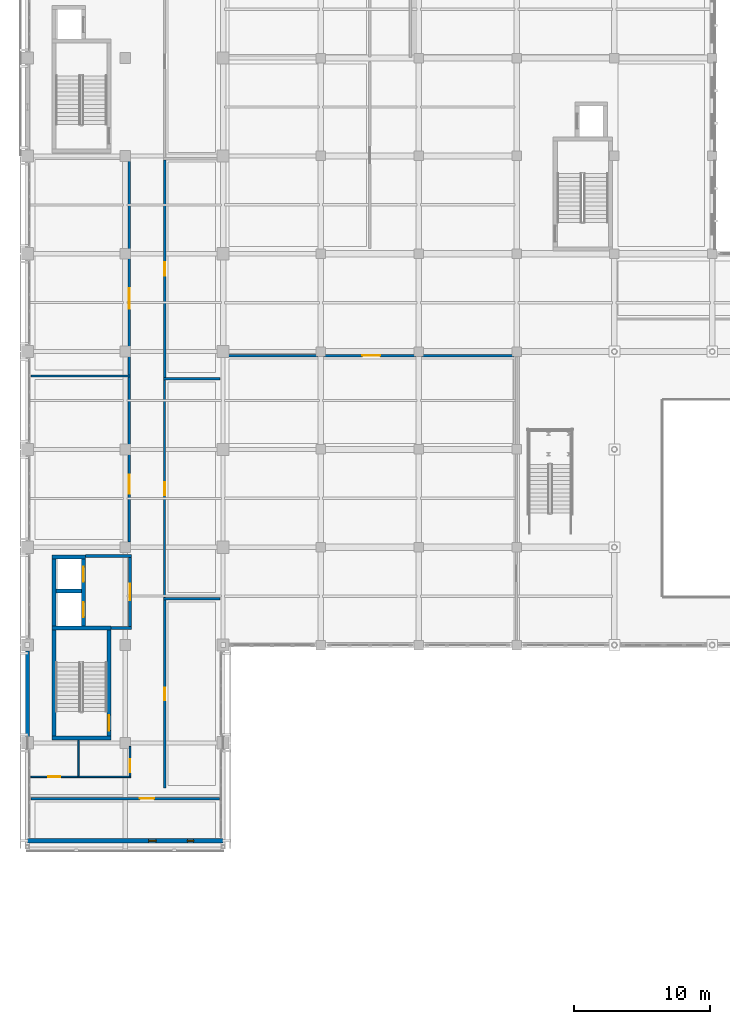
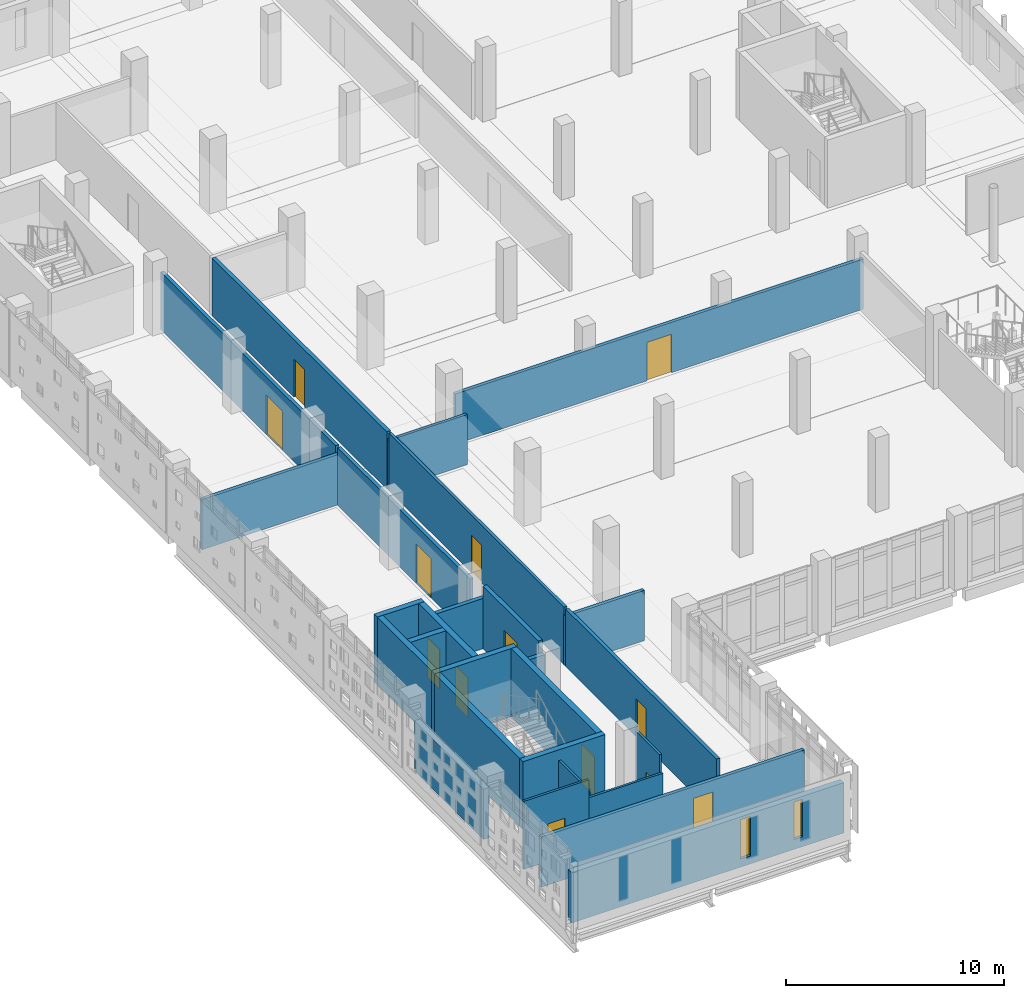
# One storey, part 38 of 62: 27 walls, 13 doors, 2 windows, 15 openings.
"""IFC4 building model written with IfcOpenShell, lengths in metres."""

from ifc_helpers import new_model, si_unit, direction, frame, frame_2d, origin, place, context, subcontext, project, spatial, rectangle, extrude, material, layer, layer_set, type_object, element, fill, save


model = new_model("IFC4")

# Units and contexts
model_context = context("Model", 3, precision=1e-05, world=origin(), true_north=direction((0.0, 1.0)))
body_context = subcontext(model_context, "Body", "Model", "MODEL_VIEW")
ifc_project = project(units=[si_unit("LENGTHUNIT", "METRE"), si_unit("AREAUNIT", "SQUARE_METRE"), si_unit("VOLUMEUNIT", "CUBIC_METRE"), si_unit("PLANEANGLEUNIT", "RADIAN"), si_unit("MASSUNIT", "GRAM", prefix="KILO")], contexts=[model_context])

# Site, building, storey
site_placement = place(None, origin())
site = spatial("IfcSite", under=ifc_project, at=site_placement, CompositionType="ELEMENT")
building_placement = place(site_placement, origin())
building = spatial("IfcBuilding", under=site, at=building_placement, Name="Valkovuoma Quantum and Materials Research Institute", CompositionType="ELEMENT")
storey_placement = place(building_placement, frame((0.0, 0.0, 8.9599609375)))
storey = spatial("IfcBuildingStorey", under=building, at=storey_placement, Name="L02", CompositionType="ELEMENT", Elevation=8.9599609375)

# Walls
ifc_material_1 = material(Name="Concrete C40/50", Category="concrete")
ifc_layer_1 = layer(ifc_material_1, 0.300048828125)
ifc_layer_set_1 = layer_set([ifc_layer_1], Name="Concrete C40/50")
wall_type_1 = type_object("IfcWallType", Name="Wall-W-COR300", PredefinedType="SHEAR", material=ifc_layer_set_1)
for number, where, z_axis, x_axis, name in (
    (1, (1.800048828125, 29.14990234375, 0.0), (0.0, 0.0, 1.0), (1.0, 0.0, 0.0), "L02 core wall 0034"),
    (2, (1.800048828125, 37.25, 0.0), (0.0, 0.0, 1.0), (1.0, 0.0, 0.0), "L02 core wall 0035"),
):
    element("IfcWall", number, at=place(storey_placement, frame(where, z_axis=z_axis, x_axis=x_axis)), inside=storey, type_object=wall_type_1, Name=name, PredefinedType="SHEAR", context=body_context, shape_type="SweptSolid", body=[
        extrude(rectangle(XDim=4.349853515625, YDim=0.300048828125, at=frame_2d((2.1748046875, 0.0))), origin(), (0.0, 0.0, 1.0), 3.81005859375),
    ])
wall_1_placement = place(storey_placement, frame((1.949951171875, 29.300048828125, 0.0), z_axis=(0.0, 0.0, 1.0), x_axis=(0.0, 1.0, 0.0)))
element("IfcWall", 3, at=wall_1_placement, inside=storey, type_object=wall_type_1, Name="L02 core wall 0036", PredefinedType="SHEAR", context=body_context, shape_type="SweptSolid", body=[
    extrude(rectangle(XDim=7.800048828125, YDim=0.300048828125, at=frame_2d((3.89990234375, 0.0))), origin(), (0.0, 0.0, 1.0), 3.81005859375),
])

# Wall, opening, door
wall_2_placement = place(storey_placement, frame((6.0, 29.300048828125, 0.0), z_axis=(0.0, 0.0, 1.0), x_axis=(0.0, 1.0, 0.0)))
wall_2 = element("IfcWall", 4, at=wall_2_placement, inside=storey, type_object=wall_type_1, Name="L02 core wall 0037", PredefinedType="SHEAR", context=body_context, shape_type="SweptSolid", body=[
    extrude(rectangle(XDim=7.800048828125, YDim=0.300048828125, at=frame_2d((3.89990234375, 0.0))), origin(), (0.0, 0.0, 1.0), 3.81005859375),
])
opening_1_placement = place(wall_2_placement, frame((0.39990234375, 0.0, 0.0)))
opening_1 = element("IfcOpeningElement", 5, at=opening_1_placement, cuts=wall_2, Name="Opening SD-007", PredefinedType="OPENING", context=body_context, shape_type="SweptSolid", body=[
    extrude(rectangle(XDim=1.14990234375, YDim=2.199951171875, at=frame_2d((0.574951171875, 1.10009765625))), frame((0.0, 0.16015625, 0.0), z_axis=(0.0, -1.0, 0.0), x_axis=(1.0, 0.0, 0.0)), (0.0, 0.0, 1.0), 0.320068359375),
])
ifc_material_2 = material(Name="Powder-coated steel and acoustic timber door assembly", Category="steel")
door_type_1 = type_object("IfcDoorType", Name="Door-DR-ST60", OperationType="NOTDEFINED", PredefinedType="DOOR", material=ifc_material_2)
door_1_placement = place(opening_1_placement, origin())
door_1 = element("IfcDoor", 6, at=door_1_placement, inside=storey, type_object=door_type_1, Name="L02 ST-1 fire door", OperationType="SINGLE_SWING_RIGHT", OverallHeight=2.199951171875, OverallWidth=1.14990234375, PredefinedType="DOOR", context=body_context, shape_type="SweptSolid", body=[
    extrude(rectangle(XDim=1.14990234375, YDim=2.199951171875, at=frame_2d((0.574951171875, 1.10009765625))), frame((0.0, 0.02490234375, 0.0), z_axis=(0.0, -1.0, 0.0), x_axis=(1.0, 0.0, 0.0)), (0.0, 0.0, 1.0), 0.050048828125),
])
fill(opening_1, door_1)

# Walls
wall_3_placement = place(storey_placement, frame((1.800048828125, 42.47998046875, 0.0), z_axis=(0.0, 0.0, 1.0), x_axis=(1.0, 0.0, 0.0)))
element("IfcWall", 7, at=wall_3_placement, inside=storey, type_object=wall_type_1, Name="L02 core wall 0038", PredefinedType="SHEAR", context=body_context, shape_type="SweptSolid", body=[
    extrude(rectangle(XDim=2.47998046875, YDim=0.300048828125, at=frame_2d((1.239990234375, 0.0))), origin(), (0.0, 0.0, 1.0), 3.81005859375),
])
wall_4_placement = place(storey_placement, frame((2.10009765625, 39.97509765625, 0.0), z_axis=(0.0, 0.0, 1.0), x_axis=(1.0, 0.0, 0.0)))
element("IfcWall", 8, at=wall_4_placement, inside=storey, type_object=wall_type_1, Name="L02 core wall 0039", PredefinedType="SHEAR", context=body_context, shape_type="SweptSolid", body=[
    extrude(rectangle(XDim=1.8798828125, YDim=0.300048828125, at=frame_2d((0.93994140625, 0.0))), origin(), (0.0, 0.0, 1.0), 3.81005859375),
])
wall_5_placement = place(storey_placement, frame((1.949951171875, 37.39990234375, 0.0), z_axis=(0.0, 0.0, 1.0), x_axis=(0.0, 1.0, 0.0)))
element("IfcWall", 9, at=wall_5_placement, inside=storey, type_object=wall_type_1, Name="L02 core wall 0040", PredefinedType="SHEAR", context=body_context, shape_type="SweptSolid", body=[
    extrude(rectangle(XDim=4.93017578125, YDim=0.300048828125, at=frame_2d((2.465087890625, 0.0))), origin(), (0.0, 0.0, 1.0), 3.81005859375),
])

# Wall, openings, doors
wall_6_placement = place(storey_placement, frame((4.1298828125, 37.39990234375, 0.0), z_axis=(0.0, 0.0, 1.0), x_axis=(0.0, 1.0, 0.0)))
wall_6 = element("IfcWall", 10, at=wall_6_placement, inside=storey, type_object=wall_type_1, Name="L02 core wall 0041", PredefinedType="SHEAR", context=body_context, shape_type="SweptSolid", body=[
    extrude(rectangle(XDim=4.93017578125, YDim=0.300048828125, at=frame_2d((2.465087890625, 0.0))), origin(), (0.0, 0.0, 1.0), 3.81005859375),
])
opening_2_placement = place(wall_6_placement, frame((0.64990234375, 0.0, 0.0)))
opening_2 = element("IfcOpeningElement", 11, at=opening_2_placement, cuts=wall_6, Name="Opening LD-007", PredefinedType="OPENING", context=body_context, shape_type="SweptSolid", body=[
    extrude(rectangle(XDim=1.10009765625, YDim=2.199951171875, at=frame_2d((0.550048828125, 1.10009765625))), frame((0.0, 0.16015625, 0.0), z_axis=(0.0, -1.0, 0.0), x_axis=(1.0, 0.0, 0.0)), (0.0, 0.0, 1.0), 0.320068359375),
])
opening_3_placement = place(wall_6_placement, frame((3.25, 0.0, 0.0)))
opening_3 = element("IfcOpeningElement", 12, at=opening_3_placement, cuts=wall_6, Name="Opening LD-008", PredefinedType="OPENING", context=body_context, shape_type="SweptSolid", body=[
    extrude(rectangle(XDim=1.10009765625, YDim=2.199951171875, at=frame_2d((0.550048828125, 1.10009765625))), frame((0.0, 0.16015625, 0.0), z_axis=(0.0, -1.0, 0.0), x_axis=(1.0, 0.0, 0.0)), (0.0, 0.0, 1.0), 0.320068359375),
])
ifc_material_3 = material(Name="Powder-coated steel and acoustic timber door assembly", Category="steel")
door_type_2 = type_object("IfcDoorType", Name="Door-DR-LD01", OperationType="NOTDEFINED", PredefinedType="DOOR", material=ifc_material_3)
door_2_placement = place(opening_2_placement, origin())
door_2 = element("IfcDoor", 13, at=door_2_placement, inside=storey, type_object=door_type_2, Name="L02 LIFT-FF1 sliding landing door", OperationType="SLIDING_TO_LEFT", OverallHeight=2.199951171875, OverallWidth=1.10009765625, PredefinedType="DOOR", context=body_context, shape_type="SweptSolid", body=[
    extrude(rectangle(XDim=1.10009765625, YDim=2.199951171875, at=frame_2d((0.550048828125, 1.10009765625))), frame((0.0, 0.02490234375, 0.0), z_axis=(0.0, -1.0, 0.0), x_axis=(1.0, 0.0, 0.0)), (0.0, 0.0, 1.0), 0.050048828125),
])
fill(opening_2, door_2)
door_3_placement = place(opening_3_placement, origin())
door_3 = element("IfcDoor", 14, at=door_3_placement, inside=storey, type_object=door_type_2, Name="L02 LIFT-P1 sliding landing door", OperationType="SLIDING_TO_LEFT", OverallHeight=2.199951171875, OverallWidth=1.10009765625, PredefinedType="DOOR", context=body_context, shape_type="SweptSolid", body=[
    extrude(rectangle(XDim=1.10009765625, YDim=2.199951171875, at=frame_2d((0.550048828125, 1.10009765625))), frame((0.0, 0.02490234375, 0.0), z_axis=(0.0, -1.0, 0.0), x_axis=(1.0, 0.0, 0.0)), (0.0, 0.0, 1.0), 0.050048828125),
])
fill(opening_3, door_3)

# Wall
ifc_material_4 = material(Name="Precast concrete C40/50", Category="concrete")
ifc_layer_2 = layer(ifc_material_4, 0.300048828125)
ifc_layer_set_2 = layer_set([ifc_layer_2], Name="Precast concrete C40/50")
wall_type_2 = type_object("IfcWallType", Name="Wall-W-EXT300", PredefinedType="SOLIDWALL", material=ifc_layer_set_2)
wall_7_placement = place(storey_placement, frame((0.0, 29.239990234375, 0.0), z_axis=(0.0, 0.0, 1.0), x_axis=(0.0, 1.0, 0.0)))
element("IfcWall", 15, at=wall_7_placement, inside=storey, type_object=wall_type_2, Name="L02 exterior wall 0038", PredefinedType="SOLIDWALL", context=body_context, shape_type="SweptSolid", body=[
    extrude(rectangle(XDim=6.320068359375, YDim=0.300048828125, at=frame_2d((3.16015625, 0.0))), origin(), (0.0, 0.0, 1.0), 2.81005859375),
])

# Wall, openings, windows
ifc_material_5 = material(Name="Precast concrete C40/50", Category="concrete")
ifc_layer_3 = layer(ifc_material_5, 0.320068359375)
ifc_layer_set_3 = layer_set([ifc_layer_3], Name="Precast concrete C40/50")
wall_type_3 = type_object("IfcWallType", Name="Wall-W-EXT320", PredefinedType="SOLIDWALL", material=ifc_layer_set_3)
wall_8_placement = place(storey_placement, frame((0.0, 21.60009765625, 0.0), z_axis=(0.0, 0.0, 1.0), x_axis=(1.0, 0.0, 0.0)))
wall_8 = element("IfcWall", 16, at=wall_8_placement, inside=storey, type_object=wall_type_3, Name="L02 exterior wall 0036", PredefinedType="SOLIDWALL", context=body_context, shape_type="SweptSolid", body=[
    extrude(rectangle(XDim=14.39990234375, YDim=0.320068359375, at=frame_2d((7.199951171875, 0.0))), origin(), (0.0, 0.0, 1.0), 2.81005859375),
])
opening_4_placement = place(wall_8_placement, frame((8.925048828125, 0.0, 0.449951171875)))
opening_4 = element("IfcOpeningElement", 17, at=opening_4_placement, cuts=wall_8, Name="Opening WN-SL03", PredefinedType="OPENING", context=body_context, shape_type="SweptSolid", body=[
    extrude(rectangle(XDim=0.550048828125, YDim=2.199951171875, at=frame_2d((0.27490234375, 1.10009765625))), frame((0.0, 0.169921875, 0.0), z_axis=(0.0, -1.0, 0.0), x_axis=(1.0, 0.0, 0.0)), (0.0, 0.0, 1.0), 0.340087890625),
])
opening_5_placement = place(wall_8_placement, frame((11.77490234375, 0.0, 0.550048828125)))
opening_5 = element("IfcOpeningElement", 18, at=opening_5_placement, cuts=wall_8, Name="Opening WN-SL04", PredefinedType="OPENING", context=body_context, shape_type="SweptSolid", body=[
    extrude(rectangle(XDim=0.449951171875, YDim=2.10009765625, at=frame_2d((0.22509765625, 1.050048828125))), frame((0.0, 0.169921875, 0.0), z_axis=(0.0, -1.0, 0.0), x_axis=(1.0, 0.0, 0.0)), (0.0, 0.0, 1.0), 0.340087890625),
])
ifc_material_6 = material(Name="Triple low-E argon glazing in thermally broken aluminium frame", Category="aluminium")
window_type_1 = type_object("IfcWindowType", Name="Win-WN-SL03", PartitioningType="SINGLE_PANEL", PredefinedType="WINDOW", material=ifc_material_6)
window_1_placement = place(opening_4_placement, origin())
window_1 = element("IfcWindow", 19, at=window_1_placement, inside=storey, type_object=window_type_1, Name="L02 window 0010", OverallHeight=2.199951171875, OverallWidth=0.550048828125, PartitioningType="SINGLE_PANEL", PredefinedType="WINDOW", context=body_context, shape_type="SweptSolid", body=[
    extrude(rectangle(XDim=0.550048828125, YDim=2.199951171875, at=frame_2d((0.27490234375, 1.10009765625))), frame((0.0, 0.030029296875, 0.0), z_axis=(0.0, -1.0, 0.0), x_axis=(1.0, 0.0, 0.0)), (0.0, 0.0, 1.0), 0.06005859375),
])
fill(opening_4, window_1)
ifc_material_7 = material(Name="Triple low-E argon glazing in thermally broken aluminium frame", Category="aluminium")
window_type_2 = type_object("IfcWindowType", Name="Win-WN-SL04", PartitioningType="SINGLE_PANEL", PredefinedType="WINDOW", material=ifc_material_7)
window_2_placement = place(opening_5_placement, origin())
window_2 = element("IfcWindow", 20, at=window_2_placement, inside=storey, type_object=window_type_2, Name="L02 window 0011", OverallHeight=2.10009765625, OverallWidth=0.449951171875, PartitioningType="SINGLE_PANEL", PredefinedType="WINDOW", context=body_context, shape_type="SweptSolid", body=[
    extrude(rectangle(XDim=0.449951171875, YDim=2.10009765625, at=frame_2d((0.22509765625, 1.050048828125))), frame((0.0, 0.030029296875, 0.0), z_axis=(0.0, -1.0, 0.0), x_axis=(1.0, 0.0, 0.0)), (0.0, 0.0, 1.0), 0.06005859375),
])
fill(opening_5, window_2)

# Walls
ifc_material_8 = material(Name="Concrete C40/50", Category="concrete")
ifc_layer_4 = layer(ifc_material_8, 0.219970703125)
ifc_layer_set_4 = layer_set([ifc_layer_4], Name="Concrete C40/50")
wall_type_4 = type_object("IfcWallType", Name="Wall-W-FFL220", PredefinedType="SOLIDWALL", material=ifc_layer_set_4)
wall_9_placement = place(storey_placement, frame((6.14990234375, 37.25, 0.0), z_axis=(0.0, 0.0, 1.0), x_axis=(1.0, 0.0, 0.0)))
element("IfcWall", 21, at=wall_9_placement, inside=storey, type_object=wall_type_4, Name="L02 core wall 0042", PredefinedType="SOLIDWALL", context=body_context, shape_type="SweptSolid", body=[
    extrude(rectangle(XDim=1.510009765625, YDim=0.219970703125, at=frame_2d((0.7548828125, 0.0))), origin(), (0.0, 0.0, 1.0), 2.81005859375),
])
wall_10_placement = place(storey_placement, frame((4.280029296875, 42.550048828125, 0.0), z_axis=(0.0, 0.0, 1.0), x_axis=(1.0, 0.0, 0.0)))
element("IfcWall", 22, at=wall_10_placement, inside=storey, type_object=wall_type_4, Name="L02 core wall 0043", PredefinedType="SOLIDWALL", context=body_context, shape_type="SweptSolid", body=[
    extrude(rectangle(XDim=3.3798828125, YDim=0.219970703125, at=frame_2d((1.68994140625, 0.0))), origin(), (0.0, 0.0, 1.0), 2.81005859375),
])

# Wall, opening, door
wall_11_placement = place(storey_placement, frame((7.550048828125, 37.360107421875, 0.0), z_axis=(0.0, 0.0, 1.0), x_axis=(0.0, 1.0, 0.0)))
wall_11 = element("IfcWall", 23, at=wall_11_placement, inside=storey, type_object=wall_type_4, Name="L02 core wall 0044", PredefinedType="SOLIDWALL", context=body_context, shape_type="SweptSolid", body=[
    extrude(rectangle(XDim=5.079833984375, YDim=0.219970703125, at=frame_2d((2.5400390625, 0.0))), origin(), (0.0, 0.0, 1.0), 3.510009765625),
])
opening_6_placement = place(wall_11_placement, frame((1.93994140625, 0.0, 0.0)))
opening_6 = element("IfcOpeningElement", 24, at=opening_6_placement, cuts=wall_11, Name="Opening FD-008", PredefinedType="OPENING", context=body_context, shape_type="SweptSolid", body=[
    extrude(rectangle(XDim=1.199951171875, YDim=2.199951171875, at=frame_2d((0.60009765625, 1.10009765625))), frame((0.0, 0.1201171875, 0.0), z_axis=(0.0, -1.0, 0.0), x_axis=(1.0, 0.0, 0.0)), (0.0, 0.0, 1.0), 0.239990234375),
])
ifc_material_9 = material(Name="Powder-coated steel and acoustic timber door assembly", Category="steel")
door_type_3 = type_object("IfcDoorType", Name="Door-DR-FF60", OperationType="NOTDEFINED", PredefinedType="DOOR", material=ifc_material_9)
door_4_placement = place(opening_6_placement, origin())
door_4 = element("IfcDoor", 25, at=door_4_placement, inside=storey, type_object=door_type_3, Name="L02 firefighting lobby door", OperationType="SINGLE_SWING_LEFT", OverallHeight=2.199951171875, OverallWidth=1.199951171875, PredefinedType="DOOR", context=body_context, shape_type="SweptSolid", body=[
    extrude(rectangle(XDim=1.199951171875, YDim=2.199951171875, at=frame_2d((0.60009765625, 1.10009765625))), frame((0.0, 0.02490234375, 0.0), z_axis=(0.0, -1.0, 0.0), x_axis=(1.0, 0.0, 0.0)), (0.0, 0.0, 1.0), 0.050048828125),
])
fill(opening_6, door_4)

# Walls
ifc_material_10 = material(Name="Service and WC partition", Category="masonry")
ifc_layer_5 = layer(ifc_material_10, 0.1201171875)
ifc_layer_set_5 = layer_set([ifc_layer_5], Name="Service and WC partition")
wall_type_5 = type_object("IfcWallType", Name="Wall-W-PRT120", PredefinedType="PARTITIONING", material=ifc_layer_set_5)
wall_12_placement = place(storey_placement, frame((3.68994140625, 26.300048828125, 0.0), z_axis=(0.0, 0.0, 1.0), x_axis=(1.0, 0.0, 0.0)))
element("IfcWall", 26, at=wall_12_placement, inside=storey, type_object=wall_type_5, Name="L02 partition 0100", PredefinedType="PARTITIONING", context=body_context, shape_type="SweptSolid", body=[
    extrude(rectangle(XDim=3.920166015625, YDim=0.1201171875, at=frame_2d((1.9599609375, 0.0))), origin(), (0.0, 0.0, 1.0), 2.81005859375),
])
wall_13_placement = place(storey_placement, frame((3.75, 26.360107421875, 0.0), z_axis=(0.0, 0.0, 1.0), x_axis=(0.0, 1.0, 0.0)))
element("IfcWall", 27, at=wall_13_placement, inside=storey, type_object=wall_type_5, Name="L02 partition 0101", PredefinedType="PARTITIONING", context=body_context, shape_type="SweptSolid", body=[
    extrude(rectangle(XDim=2.639892578125, YDim=0.1201171875, at=frame_2d((1.31982421875, 0.0))), origin(), (0.0, 0.0, 1.0), 3.2099609375),
])

# Wall, opening, door
wall_14_placement = place(storey_placement, frame((7.550048828125, 26.360107421875, 0.0), z_axis=(0.0, 0.0, 1.0), x_axis=(0.0, 1.0, 0.0)))
wall_14 = element("IfcWall", 28, at=wall_14_placement, inside=storey, type_object=wall_type_5, Name="L02 partition 0102", PredefinedType="PARTITIONING", context=body_context, shape_type="SweptSolid", body=[
    extrude(rectangle(XDim=2.179931640625, YDim=0.1201171875, at=frame_2d((1.08984375, 0.0))), origin(), (0.0, 0.0, 1.0), 3.81005859375),
])
opening_7_placement = place(wall_14_placement, frame((0.29296875, 0.0, 0.0)))
opening_7 = element("IfcOpeningElement", 29, at=opening_7_placement, cuts=wall_14, Name="Opening ID-0074", PredefinedType="OPENING", context=body_context, shape_type="SweptSolid", body=[
    extrude(rectangle(XDim=0.93994140625, YDim=2.10009765625, at=frame_2d((0.469970703125, 1.050048828125))), frame((0.0, 0.070068359375, 0.0), z_axis=(0.0, -1.0, 0.0), x_axis=(1.0, 0.0, 0.0)), (0.0, 0.0, 1.0), 0.14013671875),
])
ifc_material_11 = material(Name="Powder-coated steel and acoustic timber door assembly", Category="steel")
door_type_4 = type_object("IfcDoorType", Name="Door-DR-WC01", OperationType="NOTDEFINED", PredefinedType="DOOR", material=ifc_material_11)
door_5_placement = place(opening_7_placement, frame((0.93994140625, 0.0, 0.0), z_axis=(0.0, 0.0, 1.0), x_axis=(-1.0, 0.0, 0.0)))
door_5 = element("IfcDoor", 30, at=door_5_placement, inside=storey, type_object=door_type_4, Name="L02 room door 0074", OperationType="SINGLE_SWING_LEFT", OverallHeight=2.10009765625, OverallWidth=0.93994140625, PredefinedType="DOOR", context=body_context, shape_type="SweptSolid", body=[
    extrude(rectangle(XDim=0.93994140625, YDim=2.10009765625, at=frame_2d((0.469970703125, 1.050048828125))), frame((0.0, 0.02490234375, 0.0), z_axis=(0.0, -1.0, 0.0), x_axis=(1.0, 0.0, 0.0)), (0.0, 0.0, 1.0), 0.050048828125),
])
fill(opening_7, door_5)

wall_15_placement = place(storey_placement, frame((0.25, 26.300048828125, 0.0), z_axis=(0.0, 0.0, 1.0), x_axis=(1.0, 0.0, 0.0)))
wall_15 = element("IfcWall", 31, at=wall_15_placement, inside=storey, type_object=wall_type_5, Name="L02 partition 0103", PredefinedType="PARTITIONING", context=body_context, shape_type="SweptSolid", body=[
    extrude(rectangle(XDim=3.43994140625, YDim=0.1201171875, at=frame_2d((1.719970703125, 0.0))), origin(), (0.0, 0.0, 1.0), 3.81005859375),
])
opening_8_placement = place(wall_15_placement, frame((1.27001953125, 0.0, 0.0)))
opening_8 = element("IfcOpeningElement", 32, at=opening_8_placement, cuts=wall_15, Name="Opening ID-0075", PredefinedType="OPENING", context=body_context, shape_type="SweptSolid", body=[
    extrude(rectangle(XDim=0.89990234375, YDim=2.10009765625, at=frame_2d((0.449951171875, 1.050048828125))), frame((0.0, 0.070068359375, 0.0), z_axis=(0.0, -1.0, 0.0), x_axis=(1.0, 0.0, 0.0)), (0.0, 0.0, 1.0), 0.14013671875),
])
ifc_material_12 = material(Name="Powder-coated steel and acoustic timber door assembly", Category="steel")
door_type_5 = type_object("IfcDoorType", Name="Door-DR-WC02", OperationType="NOTDEFINED", PredefinedType="DOOR", material=ifc_material_12)
door_6_placement = place(opening_8_placement, origin())
door_6 = element("IfcDoor", 33, at=door_6_placement, inside=storey, type_object=door_type_5, Name="L02 room door 0075", OperationType="SINGLE_SWING_RIGHT", OverallHeight=2.10009765625, OverallWidth=0.89990234375, PredefinedType="DOOR", context=body_context, shape_type="SweptSolid", body=[
    extrude(rectangle(XDim=0.89990234375, YDim=2.10009765625, at=frame_2d((0.449951171875, 1.050048828125))), frame((0.0, 0.02490234375, 0.0), z_axis=(0.0, -1.0, 0.0), x_axis=(1.0, 0.0, 0.0)), (0.0, 0.0, 1.0), 0.050048828125),
])
fill(opening_8, door_6)

# Wall
ifc_material_13 = material(Name="Acoustic write-up studio partition", Category="masonry")
ifc_layer_6 = layer(ifc_material_13, 0.14990234375)
ifc_layer_set_6 = layer_set([ifc_layer_6], Name="Acoustic write-up studio partition")
wall_type_6 = type_object("IfcWallType", Name="Wall-W-PRT150", PredefinedType="PARTITIONING", material=ifc_layer_set_6)
wall_16_placement = place(storey_placement, frame((10.02490234375, 55.60009765625, 0.0), z_axis=(0.0, 0.0, 1.0), x_axis=(1.0, 0.0, 0.0)))
element("IfcWall", 34, at=wall_16_placement, inside=storey, type_object=wall_type_6, Name="L02 partition 0110", PredefinedType="PARTITIONING", context=body_context, shape_type="SweptSolid", body=[
    extrude(rectangle(XDim=4.150146484375, YDim=0.14990234375, at=frame_2d((2.0751953125, 0.0))), origin(), (0.0, 0.0, 1.0), 2.81005859375),
])

# Wall, opening, door
wall_17_placement = place(storey_placement, frame((10.10009765625, 39.489990234375, 0.0), z_axis=(0.0, 0.0, 1.0), x_axis=(0.0, 1.0, 0.0)))
wall_17 = element("IfcWall", 35, at=wall_17_placement, inside=storey, type_object=wall_type_6, Name="L02 partition 0111", PredefinedType="PARTITIONING", context=body_context, shape_type="SweptSolid", body=[
    extrude(rectangle(XDim=16.034912109375, YDim=0.14990234375, at=frame_2d((8.017578125, 0.0))), origin(), (0.0, 0.0, 1.0), 3.2099609375),
])
opening_9_placement = place(wall_17_placement, frame((7.54248046875, 0.0, 0.0)))
opening_9 = element("IfcOpeningElement", 36, at=opening_9_placement, cuts=wall_17, Name="Opening ID-0080", PredefinedType="OPENING", context=body_context, shape_type="SweptSolid", body=[
    extrude(rectangle(XDim=0.949951171875, YDim=2.10009765625, at=frame_2d((0.47509765625, 1.050048828125))), frame((0.0, 0.0849609375, 0.0), z_axis=(0.0, -1.0, 0.0), x_axis=(1.0, 0.0, 0.0)), (0.0, 0.0, 1.0), 0.169921875),
])
ifc_material_14 = material(Name="Powder-coated steel and acoustic timber door assembly", Category="steel")
door_type_6 = type_object("IfcDoorType", Name="Door-DR-OF02", OperationType="NOTDEFINED", PredefinedType="DOOR", material=ifc_material_14)
door_7_placement = place(opening_9_placement, origin())
door_7 = element("IfcDoor", 37, at=door_7_placement, inside=storey, type_object=door_type_6, Name="L02 room door 0080", OperationType="SINGLE_SWING_LEFT", OverallHeight=2.10009765625, OverallWidth=0.949951171875, PredefinedType="DOOR", context=body_context, shape_type="SweptSolid", body=[
    extrude(rectangle(XDim=0.949951171875, YDim=2.10009765625, at=frame_2d((0.47509765625, 1.050048828125))), frame((0.0, 0.02490234375, 0.0), z_axis=(0.0, -1.0, 0.0), x_axis=(1.0, 0.0, 0.0)), (0.0, 0.0, 1.0), 0.050048828125),
])
fill(opening_9, door_7)

ifc_material_15 = material(Name="Laboratory fire-rated gypsum partition", Category="masonry")
ifc_layer_7 = layer(ifc_material_15, 0.179931640625)
ifc_layer_set_7 = layer_set([ifc_layer_7], Name="Laboratory fire-rated gypsum partition")
wall_type_7 = type_object("IfcWallType", Name="Wall-W-PRT180", PredefinedType="PARTITIONING", material=ifc_layer_set_7)
wall_18_placement = place(storey_placement, frame((0.25, 24.699951171875, 0.0), z_axis=(0.0, 0.0, 1.0), x_axis=(1.0, 0.0, 0.0)))
wall_18 = element("IfcWall", 38, at=wall_18_placement, inside=storey, type_object=wall_type_7, Name="L02 partition 0099", PredefinedType="PARTITIONING", context=body_context, shape_type="SweptSolid", body=[
    extrude(rectangle(XDim=13.89990234375, YDim=0.179931640625, at=frame_2d((6.949951171875, 0.0))), origin(), (0.0, 0.0, 1.0), 2.81005859375),
])
opening_10_placement = place(wall_18_placement, frame((8.02490234375, 0.0, 0.0)))
opening_10 = element("IfcOpeningElement", 39, at=opening_10_placement, cuts=wall_18, Name="Opening ID-0073", PredefinedType="OPENING", context=body_context, shape_type="SweptSolid", body=[
    extrude(rectangle(XDim=1.050048828125, YDim=2.14990234375, at=frame_2d((0.52490234375, 1.074951171875))), frame((0.0, 0.10009765625, 0.0), z_axis=(0.0, -1.0, 0.0), x_axis=(1.0, 0.0, 0.0)), (0.0, 0.0, 1.0), 0.199951171875),
])
ifc_material_16 = material(Name="Powder-coated steel and acoustic timber door assembly", Category="steel")
door_type_7 = type_object("IfcDoorType", Name="Door-DR-LB01", OperationType="NOTDEFINED", PredefinedType="DOOR", material=ifc_material_16)
door_8_placement = place(opening_10_placement, origin())
door_8 = element("IfcDoor", 40, at=door_8_placement, inside=storey, type_object=door_type_7, Name="L02 room door 0073", OperationType="SINGLE_SWING_RIGHT", OverallHeight=2.14990234375, OverallWidth=1.050048828125, PredefinedType="DOOR", context=body_context, shape_type="SweptSolid", body=[
    extrude(rectangle(XDim=1.050048828125, YDim=2.14990234375, at=frame_2d((0.52490234375, 1.074951171875))), frame((0.0, 0.02490234375, 0.0), z_axis=(0.0, -1.0, 0.0), x_axis=(1.0, 0.0, 0.0)), (0.0, 0.0, 1.0), 0.050048828125),
])
fill(opening_10, door_8)

# Wall
wall_19_placement = place(storey_placement, frame((0.25, 55.800048828125, 0.0), z_axis=(0.0, 0.0, 1.0), x_axis=(1.0, 0.0, 0.0)))
element("IfcWall", 41, at=wall_19_placement, inside=storey, type_object=wall_type_7, Name="L02 partition 0104", PredefinedType="PARTITIONING", context=body_context, shape_type="SweptSolid", body=[
    extrude(rectangle(XDim=7.340087890625, YDim=0.179931640625, at=frame_2d((3.669921875, 0.0))), origin(), (0.0, 0.0, 1.0), 2.81005859375),
])

# Wall, opening, door
wall_20_placement = place(storey_placement, frame((7.5, 43.590087890625, 0.0), z_axis=(0.0, 0.0, 1.0), x_axis=(0.0, 1.0, 0.0)))
wall_20 = element("IfcWall", 42, at=wall_20_placement, inside=storey, type_object=wall_type_7, Name="L02 partition 0105", PredefinedType="PARTITIONING", context=body_context, shape_type="SweptSolid", body=[
    extrude(rectangle(XDim=12.119873046875, YDim=0.179931640625, at=frame_2d((6.06005859375, 0.0))), origin(), (0.0, 0.0, 1.0), 3.2099609375),
])
opening_11_placement = place(wall_20_placement, frame((3.5419921875, 0.0, 0.0)))
opening_11 = element("IfcOpeningElement", 43, at=opening_11_placement, cuts=wall_20, Name="Opening ID-0076", PredefinedType="OPENING", context=body_context, shape_type="SweptSolid", body=[
    extrude(rectangle(XDim=1.39990234375, YDim=2.199951171875, at=frame_2d((0.699951171875, 1.10009765625))), frame((0.0, 0.10009765625, 0.0), z_axis=(0.0, -1.0, 0.0), x_axis=(1.0, 0.0, 0.0)), (0.0, 0.0, 1.0), 0.199951171875),
])
ifc_material_17 = material(Name="Powder-coated steel and acoustic timber door assembly", Category="steel")
door_type_8 = type_object("IfcDoorType", Name="Door-DR-LB04", OperationType="NOTDEFINED", PredefinedType="DOOR", material=ifc_material_17)
door_9_placement = place(opening_11_placement, origin())
door_9 = element("IfcDoor", 44, at=door_9_placement, inside=storey, type_object=door_type_8, Name="L02 room door 0076", OperationType="SINGLE_SWING_LEFT", OverallHeight=2.199951171875, OverallWidth=1.39990234375, PredefinedType="DOOR", context=body_context, shape_type="SweptSolid", body=[
    extrude(rectangle(XDim=1.39990234375, YDim=2.199951171875, at=frame_2d((0.699951171875, 1.10009765625))), frame((0.0, 0.02490234375, 0.0), z_axis=(0.0, -1.0, 0.0), x_axis=(1.0, 0.0, 0.0)), (0.0, 0.0, 1.0), 0.050048828125),
])
fill(opening_11, door_9)

wall_21_placement = place(storey_placement, frame((7.5, 55.889892578125, 0.0), z_axis=(0.0, 0.0, 1.0), x_axis=(0.0, 1.0, 0.0)))
wall_21 = element("IfcWall", 45, at=wall_21_placement, inside=storey, type_object=wall_type_7, Name="L02 partition 0106", PredefinedType="PARTITIONING", context=body_context, shape_type="SweptSolid", body=[
    extrude(rectangle(XDim=16.02001953125, YDim=0.179931640625, at=frame_2d((8.010009765625, 0.0))), origin(), (0.0, 0.0, 1.0), 3.2099609375),
])
opening_12_placement = place(wall_21_placement, frame((4.85693359375, 0.0, 0.0)))
opening_12 = element("IfcOpeningElement", 46, at=opening_12_placement, cuts=wall_21, Name="Opening ID-0077", PredefinedType="OPENING", context=body_context, shape_type="SweptSolid", body=[
    extrude(rectangle(XDim=1.5, YDim=2.199951171875, at=frame_2d((0.75, 1.10009765625))), frame((0.0, 0.10009765625, 0.0), z_axis=(0.0, -1.0, 0.0), x_axis=(1.0, 0.0, 0.0)), (0.0, 0.0, 1.0), 0.199951171875),
])
ifc_material_18 = material(Name="Powder-coated steel and acoustic timber door assembly", Category="steel")
door_type_9 = type_object("IfcDoorType", Name="Door-DR-LB05", OperationType="NOTDEFINED", PredefinedType="DOOR", material=ifc_material_18)
door_10_placement = place(opening_12_placement, origin())
door_10 = element("IfcDoor", 47, at=door_10_placement, inside=storey, type_object=door_type_9, Name="L02 room door 0077", OperationType="SINGLE_SWING_RIGHT", OverallHeight=2.199951171875, OverallWidth=1.5, PredefinedType="DOOR", context=body_context, shape_type="SweptSolid", body=[
    extrude(rectangle(XDim=1.5, YDim=2.199951171875, at=frame_2d((0.75, 1.10009765625))), frame((0.0, 0.02490234375, 0.0), z_axis=(0.0, -1.0, 0.0), x_axis=(1.0, 0.0, 0.0)), (0.0, 0.0, 1.0), 0.050048828125),
])
fill(opening_12, door_10)

# Wall
wall_22_placement = place(storey_placement, frame((10.010009765625, 39.39990234375, 0.0), z_axis=(0.0, 0.0, 1.0), x_axis=(1.0, 0.0, 0.0)))
element("IfcWall", 48, at=wall_22_placement, inside=storey, type_object=wall_type_7, Name="L02 partition 0108", PredefinedType="PARTITIONING", context=body_context, shape_type="SweptSolid", body=[
    extrude(rectangle(XDim=4.179931640625, YDim=0.179931640625, at=frame_2d((2.08984375, 0.0))), origin(), (0.0, 0.0, 1.0), 2.81005859375),
])

# Wall, opening, door
wall_23_placement = place(storey_placement, frame((10.10009765625, 25.489990234375, 0.0), z_axis=(0.0, 0.0, 1.0), x_axis=(0.0, 1.0, 0.0)))
wall_23 = element("IfcWall", 49, at=wall_23_placement, inside=storey, type_object=wall_type_7, Name="L02 partition 0109", PredefinedType="PARTITIONING", context=body_context, shape_type="SweptSolid", body=[
    extrude(rectangle(XDim=13.820068359375, YDim=0.179931640625, at=frame_2d((6.91015625, 0.0))), origin(), (0.0, 0.0, 1.0), 3.2099609375),
])
opening_13_placement = place(wall_23_placement, frame((6.449951171875, 0.0, 0.0)))
opening_13 = element("IfcOpeningElement", 50, at=opening_13_placement, cuts=wall_23, Name="Opening ID-0079", PredefinedType="OPENING", context=body_context, shape_type="SweptSolid", body=[
    extrude(rectangle(XDim=0.919921875, YDim=2.10009765625, at=frame_2d((0.4599609375, 1.050048828125))), frame((0.0, 0.10009765625, 0.0), z_axis=(0.0, -1.0, 0.0), x_axis=(1.0, 0.0, 0.0)), (0.0, 0.0, 1.0), 0.199951171875),
])
ifc_material_19 = material(Name="Powder-coated steel and acoustic timber door assembly", Category="steel")
door_type_10 = type_object("IfcDoorType", Name="Door-DR-OF01", OperationType="NOTDEFINED", PredefinedType="DOOR", material=ifc_material_19)
door_11_placement = place(opening_13_placement, origin())
door_11 = element("IfcDoor", 51, at=door_11_placement, inside=storey, type_object=door_type_10, Name="L02 room door 0079", OperationType="SINGLE_SWING_RIGHT", OverallHeight=2.10009765625, OverallWidth=0.919921875, PredefinedType="DOOR", context=body_context, shape_type="SweptSolid", body=[
    extrude(rectangle(XDim=0.919921875, YDim=2.10009765625, at=frame_2d((0.4599609375, 1.050048828125))), frame((0.0, 0.02490234375, 0.0), z_axis=(0.0, -1.0, 0.0), x_axis=(1.0, 0.0, 0.0)), (0.0, 0.0, 1.0), 0.050048828125),
])
fill(opening_13, door_11)

wall_24_placement = place(storey_placement, frame((14.510009765625, 57.300048828125, 0.0), z_axis=(0.0, 0.0, 1.0), x_axis=(1.0, 0.0, 0.0)))
wall_24 = element("IfcWall", 52, at=wall_24_placement, inside=storey, type_object=wall_type_7, Name="L02 partition 0118", PredefinedType="PARTITIONING", context=body_context, shape_type="SweptSolid", body=[
    extrude(rectangle(XDim=21.580078125, YDim=0.179931640625, at=frame_2d((10.7900390625, 0.0))), origin(), (0.0, 0.0, 1.0), 2.81005859375),
])
opening_14_placement = place(wall_24_placement, frame((10.139892578125, 0.0, 0.0)))
opening_14 = element("IfcOpeningElement", 53, at=opening_14_placement, cuts=wall_24, Name="Opening ID-0086", PredefinedType="OPENING", context=body_context, shape_type="SweptSolid", body=[
    extrude(rectangle(XDim=1.300048828125, YDim=2.14990234375, at=frame_2d((0.64990234375, 1.074951171875))), frame((0.0, 0.10009765625, 0.0), z_axis=(0.0, -1.0, 0.0), x_axis=(1.0, 0.0, 0.0)), (0.0, 0.0, 1.0), 0.199951171875),
])
ifc_material_20 = material(Name="Powder-coated steel and acoustic timber door assembly", Category="steel")
door_type_11 = type_object("IfcDoorType", Name="Door-DR-SM02", OperationType="NOTDEFINED", PredefinedType="DOOR", material=ifc_material_20)
door_12_placement = place(opening_14_placement, origin())
door_12 = element("IfcDoor", 54, at=door_12_placement, inside=storey, type_object=door_type_11, Name="L02 room door 0086", OperationType="SINGLE_SWING_LEFT", OverallHeight=2.14990234375, OverallWidth=1.300048828125, PredefinedType="DOOR", context=body_context, shape_type="SweptSolid", body=[
    extrude(rectangle(XDim=1.300048828125, YDim=2.14990234375, at=frame_2d((0.64990234375, 1.074951171875))), frame((0.0, 0.02490234375, 0.0), z_axis=(0.0, -1.0, 0.0), x_axis=(1.0, 0.0, 0.0)), (0.0, 0.0, 1.0), 0.050048828125),
])
fill(opening_14, door_12)

ifc_material_21 = material(Name="Acoustic double-stud gypsum and mineral wool partition", Category="masonry")
ifc_layer_8 = layer(ifc_material_21, 0.199951171875)
ifc_layer_set_8 = layer_set([ifc_layer_8], Name="Acoustic double-stud gypsum and mineral wool partition")
wall_type_8 = type_object("IfcWallType", Name="Wall-W-PRT200", PredefinedType="PARTITIONING", material=ifc_layer_set_8)
wall_25_placement = place(storey_placement, frame((10.10009765625, 55.675048828125, 0.0), z_axis=(0.0, 0.0, 1.0), x_axis=(0.0, 1.0, 0.0)))
wall_25 = element("IfcWall", 55, at=wall_25_placement, inside=storey, type_object=wall_type_8, Name="L02 partition 0113", PredefinedType="PARTITIONING", context=body_context, shape_type="SweptSolid", body=[
    extrude(rectangle(XDim=16.02490234375, YDim=0.199951171875, at=frame_2d((8.012451171875, 0.0))), origin(), (0.0, 0.0, 1.0), 3.2099609375),
])
opening_15_placement = place(wall_25_placement, frame((7.5224609375, 0.0, 0.0)))
opening_15 = element("IfcOpeningElement", 56, at=opening_15_placement, cuts=wall_25, Name="Opening ID-0081", PredefinedType="OPENING", context=body_context, shape_type="SweptSolid", body=[
    extrude(rectangle(XDim=0.97998046875, YDim=2.10009765625, at=frame_2d((0.489990234375, 1.050048828125))), frame((0.0, 0.10986328125, 0.0), z_axis=(0.0, -1.0, 0.0), x_axis=(1.0, 0.0, 0.0)), (0.0, 0.0, 1.0), 0.219970703125),
])
ifc_material_22 = material(Name="Powder-coated steel and acoustic timber door assembly", Category="steel")
door_type_12 = type_object("IfcDoorType", Name="Door-DR-OF03", OperationType="NOTDEFINED", PredefinedType="DOOR", material=ifc_material_22)
door_13_placement = place(opening_15_placement, origin())
door_13 = element("IfcDoor", 57, at=door_13_placement, inside=storey, type_object=door_type_12, Name="L02 room door 0081", OperationType="SINGLE_SWING_RIGHT", OverallHeight=2.10009765625, OverallWidth=0.97998046875, PredefinedType="DOOR", context=body_context, shape_type="SweptSolid", body=[
    extrude(rectangle(XDim=0.97998046875, YDim=2.10009765625, at=frame_2d((0.489990234375, 1.050048828125))), frame((0.0, 0.02490234375, 0.0), z_axis=(0.0, -1.0, 0.0), x_axis=(1.0, 0.0, 0.0)), (0.0, 0.0, 1.0), 0.050048828125),
])
fill(opening_15, door_13)

save(model, "model.ifc")
